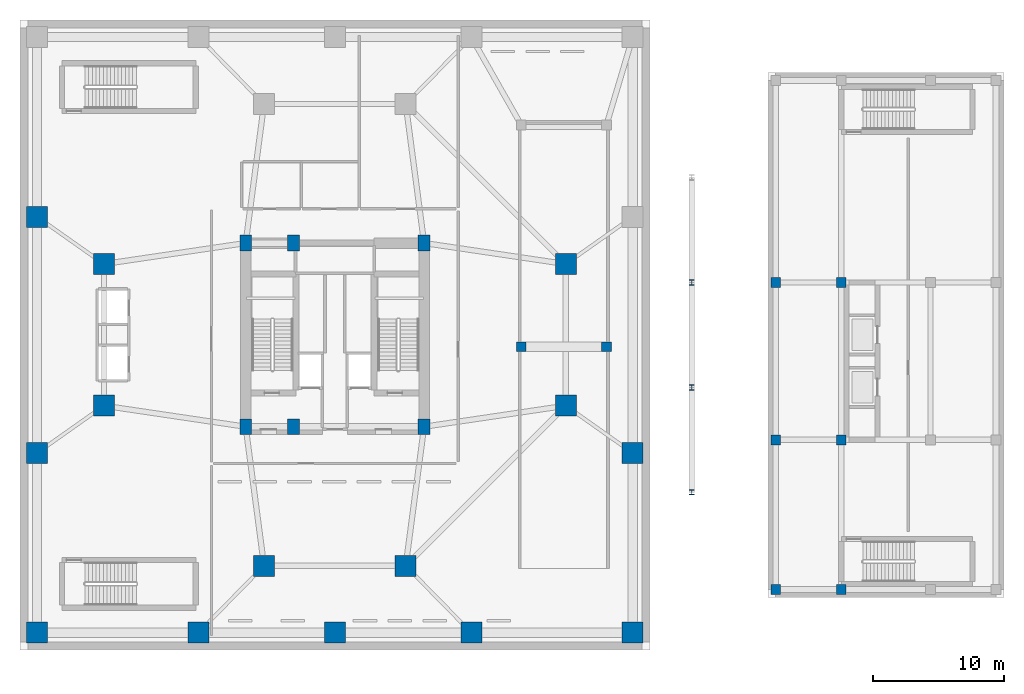
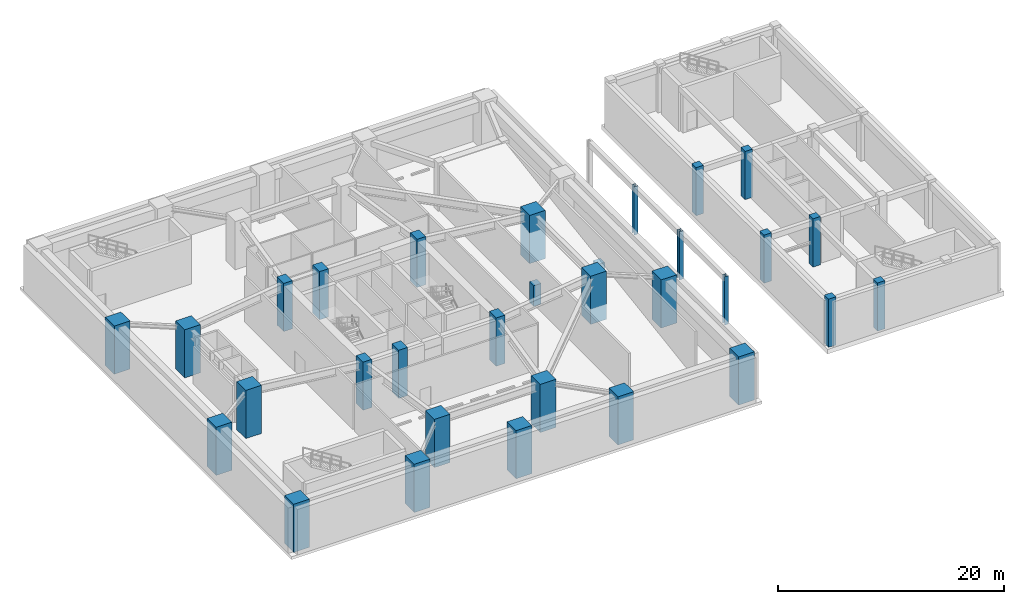
# One storey, part 1 of 13: 31 columns.
"""IFC4 building model written with IfcOpenShell, lengths in metres."""

from ifc_helpers import new_model, si_unit, direction, frame, origin, origin_2d, place, context, subcontext, project, spatial, rectangle, i_section, extrude, material, material_profile, profile_set, type_object, element, save


model = new_model("IFC4")

# Units and contexts
model_context = context("Model", 3, precision=1e-05, world=origin(), true_north=direction((0.0, 1.0)))
body_context = subcontext(model_context, "Body", "Model", "MODEL_VIEW")
ifc_project = project(units=[si_unit("LENGTHUNIT", "METRE"), si_unit("AREAUNIT", "SQUARE_METRE"), si_unit("VOLUMEUNIT", "CUBIC_METRE"), si_unit("PLANEANGLEUNIT", "RADIAN"), si_unit("MASSUNIT", "GRAM", prefix="KILO")], contexts=[model_context])

# Site, building, storey
site_placement = place(None, origin())
site = spatial("IfcSite", under=ifc_project, at=site_placement, CompositionType="ELEMENT")
building_placement = place(site_placement, origin())
building = spatial("IfcBuilding", under=site, at=building_placement, Name="Veraguas Prism Commons", CompositionType="ELEMENT")
storey_placement = place(building_placement, frame((0.0, 0.0, -5.199951171875)))
storey = spatial("IfcBuildingStorey", under=building, at=storey_placement, Name="B1", CompositionType="ELEMENT", Elevation=-5.199951171875)

# Columns
ifc_material_1 = material(Name="Concrete C50/60", Category="concrete")
ifc_material_profile_1 = material_profile(ifc_material_1, rectangle(XDim=0.75, YDim=0.75, at=origin_2d()), Name="RC750X750")
ifc_profile_set_1 = profile_set([ifc_material_profile_1], Name="Concrete C50/60")
column_type_1 = type_object("IfcColumnType", Name="Column Clinic RC 750x750", PredefinedType="COLUMN", material=ifc_profile_set_1)
for number, where, z_axis, x_axis, name in (
    (1, (38.199951171875, 23.10009765625, 0.0), (0.0, 0.0, 1.0), (1.0, 0.0, 0.0), "Vehicle Ramp Mid Column B1-RMM01"),
    (2, (44.699951171875, 23.10009765625, 0.0), (0.0, 0.0, 1.0), (1.0, 0.0, 0.0), "Vehicle Ramp Mid Column B1-RMM02"),
):
    element("IfcColumn", number, at=place(storey_placement, frame(where, z_axis=z_axis, x_axis=x_axis)), inside=storey, type_object=column_type_1, Name=name, PredefinedType="COLUMN", context=body_context, shape_type="SweptSolid", body=[
        extrude(rectangle(XDim=0.75, YDim=0.75, at=origin_2d()), origin(), (0.0, 0.0, 1.0), 2.219970703125),
    ])
for number, where, z_axis, x_axis, name in (
    (3, (57.60009765625, 4.60009765625, 0.0), (0.0, 0.0, 1.0), (1.0, 0.0, 0.0), "Health Centre Column B1-HC01"),
    (4, (57.60009765625, 16.0, 0.0), (0.0, 0.0, 1.0), (1.0, 0.0, 0.0), "Health Centre Column B1-HC02"),
    (5, (57.60009765625, 28.0, 0.0), (0.0, 0.0, 1.0), (1.0, 0.0, 0.0), "Health Centre Column B1-HC03"),
    (6, (62.60009765625, 4.60009765625, 0.0), (0.0, 0.0, 1.0), (1.0, 0.0, 0.0), "Health Centre Column B1-HC05"),
    (7, (62.60009765625, 16.0, 0.0), (0.0, 0.0, 1.0), (1.0, 0.0, 0.0), "Health Centre Column B1-HC06"),
    (8, (62.60009765625, 28.0, 0.0), (0.0, 0.0, 1.0), (1.0, 0.0, 0.0), "Health Centre Column B1-HC07"),
):
    element("IfcColumn", number, at=place(storey_placement, frame(where, z_axis=z_axis, x_axis=x_axis)), inside=storey, type_object=column_type_1, Name=name, PredefinedType="COLUMN", context=body_context, shape_type="SweptSolid", body=[
        extrude(rectangle(XDim=0.75, YDim=0.75, at=origin_2d()), origin(), (0.0, 0.0, 1.0), 5.199951171875),
    ])
ifc_material_2 = material(Name="Steel ASTM A992 Grade 50", Category="steel")
ifc_material_profile_2 = material_profile(ifc_material_2, i_section(OverallWidth=0.404052734375, OverallDepth=0.406982421875, WebThickness=0.025146484375, FlangeThickness=0.040283203125, at=origin_2d()), Name="W360X347")
ifc_profile_set_2 = profile_set([ifc_material_profile_2], Name="Steel ASTM A992 Grade 50")
column_type_2 = type_object("IfcColumnType", Name="Column Crown Portal W360x347", PredefinedType="COLUMN", material=ifc_profile_set_2)
for number, where, z_axis, x_axis, name in (
    (9, (51.199951171875, 12.0, 0.0), (0.0, 0.0, 1.0), (1.0, 0.0, 0.0), "Plaza Canopy Column B1-CN01"),
    (10, (51.199951171875, 20.0, 0.0), (0.0, 0.0, 1.0), (1.0, 0.0, 0.0), "Plaza Canopy Column B1-CN02"),
    (11, (51.199951171875, 28.0, 0.0), (0.0, 0.0, 1.0), (1.0, 0.0, 0.0), "Plaza Canopy Column B1-CN03"),
):
    element("IfcColumn", number, at=place(storey_placement, frame(where, z_axis=z_axis, x_axis=x_axis)), inside=storey, type_object=column_type_2, Name=name, PredefinedType="COLUMN", context=body_context, shape_type="SweptSolid", body=[
        extrude(i_section(OverallWidth=0.404052734375, OverallDepth=0.406982421875, WebThickness=0.025146484375, FlangeThickness=0.040283203125, at=origin_2d()), origin(), (0.0, 0.0, 1.0), 5.199951171875),
    ])
ifc_material_3 = material(Name="Concrete C60/75", Category="concrete")
ifc_material_profile_3 = material_profile(ifc_material_3, rectangle(XDim=1.60009765625, YDim=1.60009765625, at=origin_2d()), Name="RC1600X1600")
ifc_profile_set_3 = profile_set([ifc_material_profile_3], Name="Concrete C60/75")
column_type_3 = type_object("IfcColumnType", Name="Column Mega RC 1600x1600", PredefinedType="COLUMN", material=ifc_profile_set_3)
for number, where, z_axis, x_axis, name in (
    (12, (1.300048828125, 1.300048828125, 0.0), (0.0, 0.0, 1.0), (1.0, 0.0, 0.0), "Podium Mega Column B1-PD01"),
    (13, (13.60009765625, 1.300048828125, 0.0), (0.0, 0.0, 1.0), (1.0, 0.0, 0.0), "Podium Mega Column B1-PD02"),
    (14, (24.0, 1.300048828125, 0.0), (0.0, 0.0, 1.0), (1.0, 0.0, 0.0), "Podium Mega Column B1-PD03"),
    (15, (34.39990234375, 1.300048828125, 0.0), (0.0, 0.0, 1.0), (1.0, 0.0, 0.0), "Podium Mega Column B1-PD04"),
    (16, (46.699951171875, 1.300048828125, 0.0), (0.0, 0.0, 1.0), (1.0, 0.0, 0.0), "Podium Mega Column B1-PD05"),
    (17, (1.300048828125, 15.0, 0.0), (0.0, 0.0, 1.0), (1.0, 0.0, 0.0), "Podium Mega Column B1-PD06"),
    (18, (46.699951171875, 15.0, 0.0), (0.0, 0.0, 1.0), (1.0, 0.0, 0.0), "Podium Mega Column B1-PD07"),
    (19, (1.300048828125, 33.0, 0.0), (0.0, 0.0, 1.0), (1.0, 0.0, 0.0), "Podium Mega Column B1-PD08"),
    (20, (41.60009765625, 18.60009765625, 0.0), (0.0, 0.0, 1.0), (1.0, 0.0, 0.0), "Tower Mega Column B1-TM01"),
    (21, (41.60009765625, 29.39990234375, 0.0), (0.0, 0.0, 1.0), (1.0, 0.0, 0.0), "Tower Mega Column B1-TM02"),
    (22, (6.39990234375, 29.39990234375, 0.0), (0.0, 0.0, 1.0), (1.0, 0.0, 0.0), "Tower Mega Column B1-TM05"),
    (23, (6.39990234375, 18.60009765625, 0.0), (0.0, 0.0, 1.0), (1.0, 0.0, 0.0), "Tower Mega Column B1-TM06"),
    (24, (18.60009765625, 6.39990234375, 0.0), (0.0, 0.0, 1.0), (1.0, 0.0, 0.0), "Tower Mega Column B1-TM07"),
    (25, (29.39990234375, 6.39990234375, 0.0), (0.0, 0.0, 1.0), (1.0, 0.0, 0.0), "Tower Mega Column B1-TM08"),
):
    element("IfcColumn", number, at=place(storey_placement, frame(where, z_axis=z_axis, x_axis=x_axis)), inside=storey, type_object=column_type_3, Name=name, PredefinedType="COLUMN", context=body_context, shape_type="SweptSolid", body=[
        extrude(rectangle(XDim=1.60009765625, YDim=1.60009765625, at=origin_2d()), origin(), (0.0, 0.0, 1.0), 5.199951171875),
    ])
ifc_material_profile_4 = material_profile(ifc_material_3, rectangle(XDim=0.89990234375, YDim=1.199951171875, at=origin_2d()), Name="RC900X1200")
ifc_profile_set_4 = profile_set([ifc_material_profile_4], Name="Concrete C60/75")
column_type_4 = type_object("IfcColumnType", Name="Pilaster Core Lower RC 900x1200", PredefinedType="PILASTER", material=ifc_profile_set_4)
for number, where, z_axis, x_axis, name in (
    (26, (17.199951171875, 17.0, 0.0), (0.0, 0.0, 1.0), (1.0, 0.0, 0.0), "Core Pilaster Column B1-CR1"),
    (27, (20.85009765625, 17.0, 0.0), (0.0, 0.0, 1.0), (1.0, 0.0, 0.0), "Core Pilaster Column B1-CR2"),
    (28, (30.800048828125, 17.0, 0.0), (0.0, 0.0, 1.0), (1.0, 0.0, 0.0), "Core Pilaster Column B1-CR3"),
    (29, (17.199951171875, 31.0, 0.0), (0.0, 0.0, 1.0), (1.0, 0.0, 0.0), "Core Pilaster Column B1-CR4"),
    (30, (20.85009765625, 31.0, 0.0), (0.0, 0.0, 1.0), (1.0, 0.0, 0.0), "Core Pilaster Column B1-CR5"),
    (31, (30.800048828125, 31.0, 0.0), (0.0, 0.0, 1.0), (1.0, 0.0, 0.0), "Core Pilaster Column B1-CR6"),
):
    element("IfcColumn", number, at=place(storey_placement, frame(where, z_axis=z_axis, x_axis=x_axis)), inside=storey, type_object=column_type_4, Name=name, PredefinedType="PILASTER", context=body_context, shape_type="SweptSolid", body=[
        extrude(rectangle(XDim=0.89990234375, YDim=1.199951171875, at=origin_2d()), origin(), (0.0, 0.0, 1.0), 5.199951171875),
    ])

save(model, "model.ifc")
